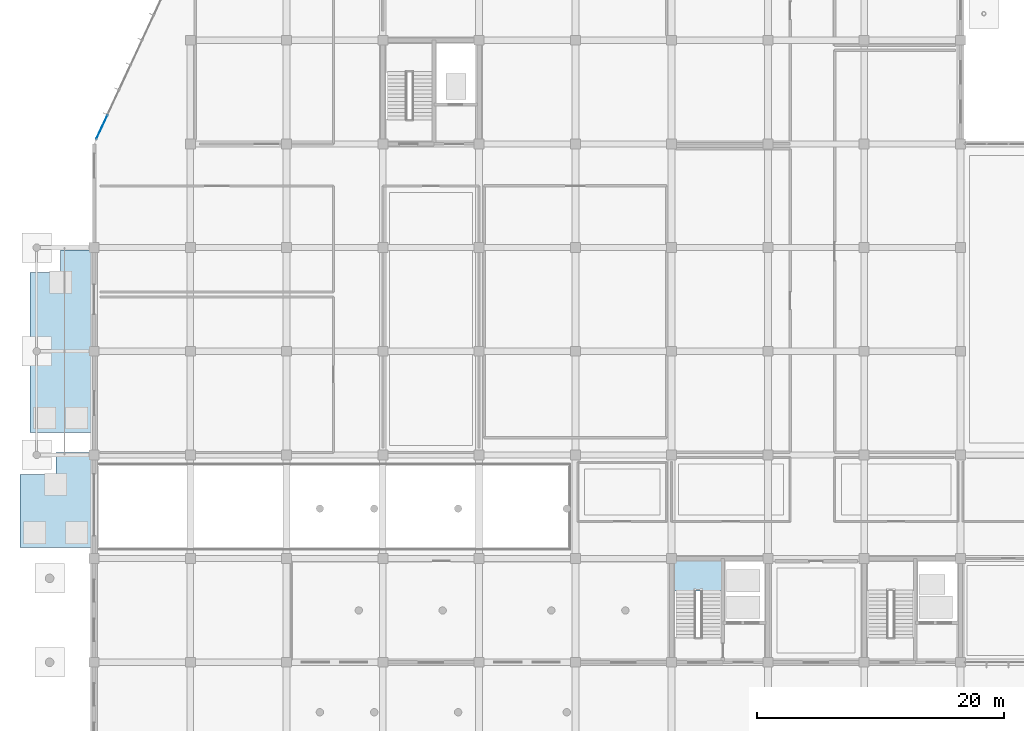
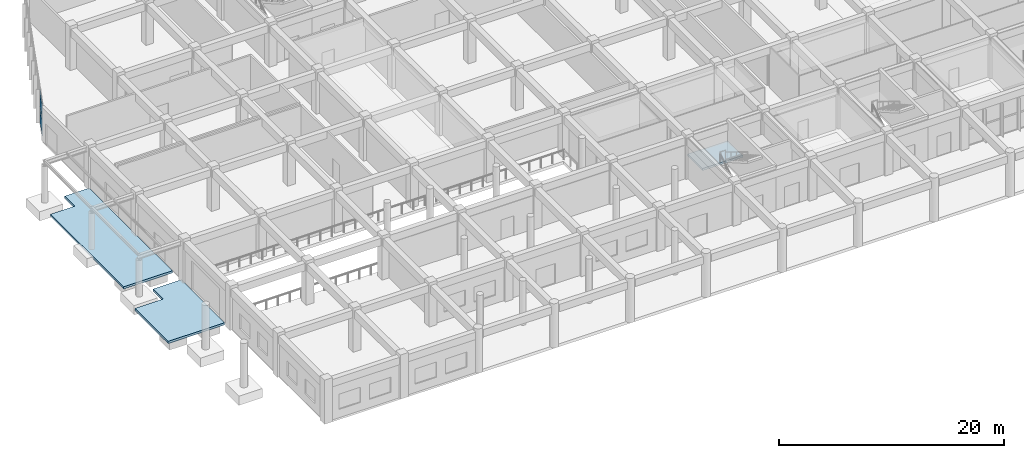
# One storey, part 100 of 139: 3 slabs, 2 plates, 2 elements without a shape of their own.
"""IFC4 building model written with IfcOpenShell, lengths in metres."""

from ifc_helpers import new_model, si_unit, direction, frame, origin, origin_2d, place, context, subcontext, project, spatial, polyline, rectangle, outline, extrude, material, layer, layer_set, type_object, element, aggregate, save


model = new_model("IFC4")

# Units and contexts
model_context = context("Model", 3, precision=1e-05, world=origin(), true_north=direction((0.0, 1.0)))
body_context = subcontext(model_context, "Body", "Model", "MODEL_VIEW")
ifc_project = project(units=[si_unit("LENGTHUNIT", "METRE"), si_unit("AREAUNIT", "SQUARE_METRE"), si_unit("VOLUMEUNIT", "CUBIC_METRE"), si_unit("PLANEANGLEUNIT", "RADIAN"), si_unit("MASSUNIT", "GRAM", prefix="KILO")], contexts=[model_context])

# Site, building, storey
site_placement = place(None, origin())
site = spatial("IfcSite", under=ifc_project, at=site_placement, CompositionType="ELEMENT")
building_placement = place(site_placement, origin())
building = spatial("IfcBuilding", under=site, at=building_placement, Name="Zizhar Promenade General Hospital", CompositionType="ELEMENT")
storey_placement = place(building_placement, origin())
storey = spatial("IfcBuildingStorey", under=building, at=storey_placement, Name="L00", CompositionType="ELEMENT", Elevation=0.0)

# Curtain wall, plates
ifc_material_1 = material(Name="Anodised aluminium 6063-T6 and low-E glass", Category="aluminium")
ifc_layer_1 = layer(ifc_material_1, 0.159912109375)
ifc_layer_set_1 = layer_set([ifc_layer_1], Name="Anodised aluminium 6063-T6 and low-E glass")
curtain_wall_type = type_object("IfcCurtainWallType", Name="CW-DT-MOD2", PredefinedType="NOTDEFINED", material=ifc_layer_set_1)
curtain_wall_placement = place(storey_placement, origin())
curtain_wall = element("IfcCurtainWall", 1, at=curtain_wall_placement, inside=storey, type_object=curtain_wall_type, Name="West Diagnostic Arm Glazed Curtain Wall L00-NW1", PredefinedType="NOTDEFINED")
ifc_material_2 = material(Name="Low-E solar-control glass", Category="glass")
ifc_layer_2 = layer(ifc_material_2, 0.031982421875)
ifc_layer_set_2 = layer_set([ifc_layer_2], Name="Low-E solar-control glass")
plate_type = type_object("IfcPlateType", Name="CWP-GLZ-32", PredefinedType="CURTAIN_PANEL", material=ifc_layer_set_2)
plate_1_placement = place(storey_placement, frame((0.635986328125, 51.769775390625, 0.06005859375), z_axis=(0.0, 0.0, 1.0), x_axis=(0.421114945486, 0.907007278189, 0.0)))
plate_1 = element("IfcPlate", 2, at=plate_1_placement, type_object=plate_type, Name="CW-08 panel 1.1", PredefinedType="CURTAIN_PANEL", context=body_context, shape_type="SweptSolid", body=[
    extrude(rectangle(XDim=2.100341796875, YDim=0.031982421875, at=origin_2d()), origin(), (0.0, 0.0, 1.0), 1.72509765625),
])
plate_2_placement = place(storey_placement, frame((0.635986328125, 51.769775390625, 1.844970703125), z_axis=(0.0, 0.0, 1.0), x_axis=(0.421114945486, 0.907007278189, 0.0)))
plate_2 = element("IfcPlate", 3, at=plate_2_placement, type_object=plate_type, Name="CW-08 panel 1.2", PredefinedType="CURTAIN_PANEL", context=body_context, shape_type="SweptSolid", body=[
    extrude(rectangle(XDim=2.100341796875, YDim=0.031982421875, at=origin_2d()), origin(), (0.0, 0.0, 1.0), 1.72509765625),
])
aggregate(curtain_wall, [plate_1, plate_2])

# Slabs
ifc_material_3 = material(Name="Concrete C35/45", Category="concrete")
ifc_layer_3 = layer(ifc_material_3, 0.239990234375)
ifc_layer_set_3 = layer_set([ifc_layer_3], Name="Concrete C35/45")
slab_type_1 = type_object("IfcSlabType", Name="SLB-APPR-240", PredefinedType="USERDEFINED", material=ifc_layer_set_3)
slab_1_placement = place(storey_placement, frame((0.0, 0.0, -0.239990234375)))
element("IfcSlab", 4, at=slab_1_placement, inside=storey, type_object=slab_type_1, Name="Ambulance Bay Grade Approach Apron", ObjectType="APPROACH_SLAB", PredefinedType="USERDEFINED", context=body_context, shape_type="SweptSolid", body=[
    extrude(outline(polyline([(-5.199951171875, 27.0), (-0.199951171875, 27.0), (-0.199951171875, 41.800048828125), (-2.699951171875, 41.800048828125), (-2.699951171875, 40.0), (-5.199951171875, 40.0), (-5.199951171875, 27.0)])), origin(), (0.0, 0.0, 1.0), 0.239990234375),
])
slab_2_placement = place(storey_placement, frame((0.0, 0.0, -0.239990234375)))
element("IfcSlab", 5, at=slab_2_placement, inside=storey, type_object=slab_type_1, Name="Basement Vehicle Ramp Street Apron", ObjectType="APPROACH_SLAB", PredefinedType="USERDEFINED", context=body_context, shape_type="SweptSolid", body=[
    extrude(outline(polyline([(-6.0, 17.699951171875), (-0.199951171875, 17.699951171875), (-0.199951171875, 25.39990234375), (-3.10009765625, 25.39990234375), (-3.10009765625, 23.60009765625), (-6.0, 23.60009765625), (-6.0, 17.699951171875)])), origin(), (0.0, 0.0, 1.0), 0.239990234375),
])

# Stair, slab
ifc_material_4 = material(Name="Concrete C35/45", Category="concrete")
stair_type = type_object("IfcStairType", Name="STR-DOG-480", PredefinedType="HALF_TURN_STAIR", material=ifc_material_4)
stair_placement = place(storey_placement, origin())
stair = element("IfcStair", 6, at=stair_placement, inside=storey, type_object=stair_type, Name="Exit Stair ST-02 (L00 to L01)", PredefinedType="HALF_TURN_STAIR")
ifc_material_5 = material(Name="Concrete C35/45", Category="concrete")
ifc_layer_4 = layer(ifc_material_5, 0.219970703125)
ifc_layer_set_4 = layer_set([ifc_layer_4], Name="Concrete C35/45")
slab_type_2 = type_object("IfcSlabType", Name="SLB-LAND-480", PredefinedType="LANDING", material=ifc_layer_set_4)
slab_3_placement = place(storey_placement, frame((0.0, 0.0, 2.179931640625)))
slab_3 = element("IfcSlab", 7, at=slab_3_placement, type_object=slab_type_2, Name="ST-02A landing 1", PredefinedType="LANDING", context=body_context, shape_type="SweptSolid", body=[
    extrude(outline(polyline([(46.800048828125, 14.169921875), (50.949951171875, 14.169921875), (50.949951171875, 16.800048828125), (46.800048828125, 16.800048828125), (46.800048828125, 14.169921875)])), origin(), (0.0, 0.0, 1.0), 0.219970703125),
])
aggregate(stair, [slab_3])

save(model, "model.ifc")
